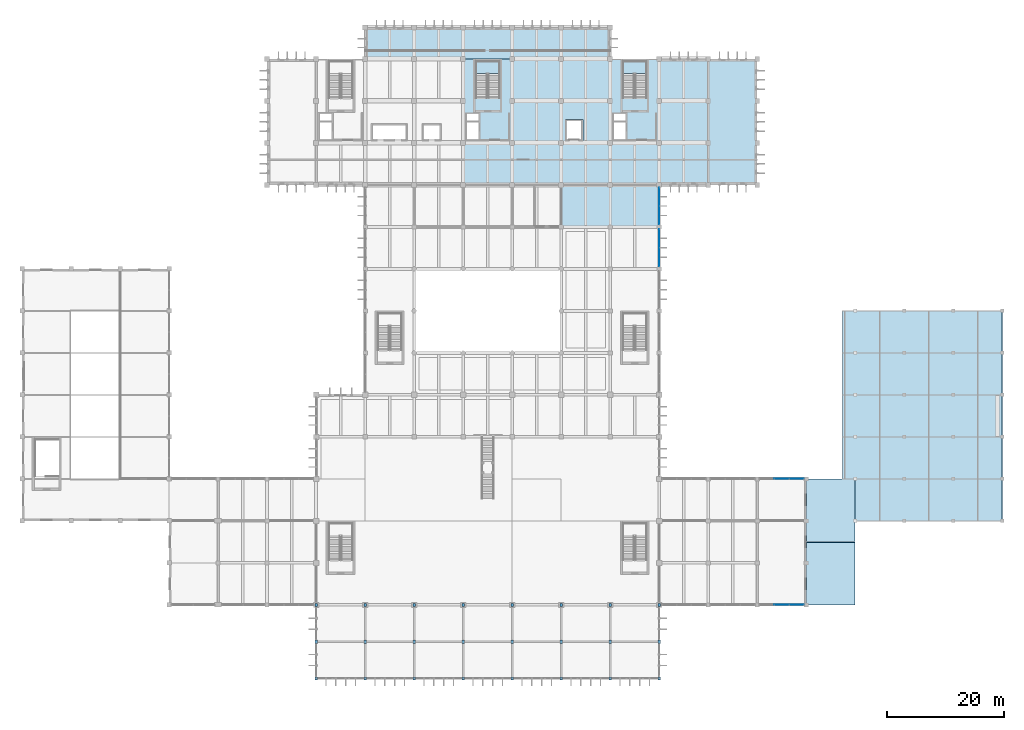
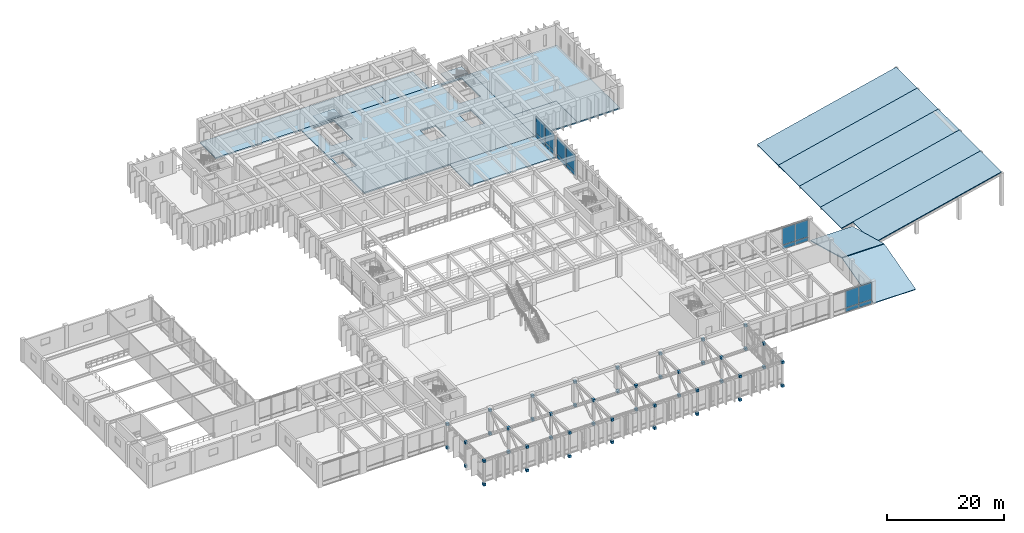
# One storey, part 30 of 51: 64 plates, 15 slabs, 6 elements without a shape of their own.
"""IFC4 building model written with IfcOpenShell, lengths in metres."""

from ifc_helpers import new_model, si_unit, direction, frame, origin, origin_2d, place, context, subcontext, project, spatial, polyline, rectangle, outline, extrude, material, layer, layer_set, type_object, element, aggregate, save


model = new_model("IFC4")

# Units and contexts
model_context = context("Model", 3, precision=1e-05, world=origin(), true_north=direction((0.0, 1.0)))
body_context = subcontext(model_context, "Body", "Model", "MODEL_VIEW")
ifc_project = project(units=[si_unit("LENGTHUNIT", "METRE"), si_unit("AREAUNIT", "SQUARE_METRE"), si_unit("VOLUMEUNIT", "CUBIC_METRE"), si_unit("PLANEANGLEUNIT", "RADIAN"), si_unit("MASSUNIT", "GRAM", prefix="KILO")], contexts=[model_context])

# Site, building, storey
site_placement = place(None, origin())
site = spatial("IfcSite", under=ifc_project, at=site_placement, CompositionType="ELEMENT")
building_placement = place(site_placement, origin())
building = spatial("IfcBuilding", under=site, at=building_placement, Name="Kenerak Square Central Library", CompositionType="ELEMENT")
storey_placement = place(building_placement, frame((0.0, 0.0, 9.60009765625)))
storey = spatial("IfcBuildingStorey", under=building, at=storey_placement, Name="L02", CompositionType="ELEMENT", Elevation=9.60009765625)

# Plates
ifc_material_1 = material(Name="Steel S355", Category="steel")
ifc_layer_1 = layer(ifc_material_1, 0.0400390625)
ifc_layer_set_1 = layer_set([ifc_layer_1], Name="Steel S355")
plate_type_1 = type_object("IfcPlateType", Name="Cantilever Truss Gusset Node KTN-01 40mm S355", PredefinedType="USERDEFINED", material=ifc_layer_set_1)
for number, where, z_axis, x_axis, name in (
    (1, (58.39990234375, 4.199951171875, -0.91015625), (0.0, 0.0, 1.0), (1.0, 0.0, 0.0), "Truss Gusset Plate KTN-01 0001"),
    (2, (58.39990234375, 4.199951171875, 3.989990234375), (0.0, 0.0, 1.0), (1.0, 0.0, 0.0), "Truss Gusset Plate KTN-01 0002"),
    (3, (58.39990234375, 10.5, -0.91015625), (0.0, 0.0, 1.0), (1.0, 0.0, 0.0), "Truss Gusset Plate KTN-01 0003"),
    (4, (58.39990234375, 10.5, 3.989990234375), (0.0, 0.0, 1.0), (1.0, 0.0, 0.0), "Truss Gusset Plate KTN-01 0004"),
    (5, (58.39990234375, 16.800048828125, -0.91015625), (0.0, 0.0, 1.0), (1.0, 0.0, 0.0), "Truss Gusset Plate KTN-01 0005"),
    (6, (58.39990234375, 16.800048828125, 3.989990234375), (0.0, 0.0, 1.0), (1.0, 0.0, 0.0), "Truss Gusset Plate KTN-01 0006"),
    (7, (66.800048828125, 4.199951171875, -0.91015625), (0.0, 0.0, 1.0), (1.0, 0.0, 0.0), "Truss Gusset Plate KTN-01 0015"),
    (8, (66.800048828125, 4.199951171875, 3.989990234375), (0.0, 0.0, 1.0), (1.0, 0.0, 0.0), "Truss Gusset Plate KTN-01 0016"),
    (9, (66.800048828125, 10.5, -0.91015625), (0.0, 0.0, 1.0), (1.0, 0.0, 0.0), "Truss Gusset Plate KTN-01 0017"),
    (10, (66.800048828125, 10.5, 3.989990234375), (0.0, 0.0, 1.0), (1.0, 0.0, 0.0), "Truss Gusset Plate KTN-01 0018"),
    (11, (66.800048828125, 16.800048828125, -0.91015625), (0.0, 0.0, 1.0), (1.0, 0.0, 0.0), "Truss Gusset Plate KTN-01 0019"),
    (12, (66.800048828125, 16.800048828125, 3.989990234375), (0.0, 0.0, 1.0), (1.0, 0.0, 0.0), "Truss Gusset Plate KTN-01 0020"),
    (13, (75.199951171875, 4.199951171875, -0.91015625), (0.0, 0.0, 1.0), (1.0, 0.0, 0.0), "Truss Gusset Plate KTN-01 0029"),
    (14, (75.199951171875, 4.199951171875, 3.989990234375), (0.0, 0.0, 1.0), (1.0, 0.0, 0.0), "Truss Gusset Plate KTN-01 0030"),
    (15, (75.199951171875, 10.5, -0.91015625), (0.0, 0.0, 1.0), (1.0, 0.0, 0.0), "Truss Gusset Plate KTN-01 0031"),
    (16, (75.199951171875, 10.5, 3.989990234375), (0.0, 0.0, 1.0), (1.0, 0.0, 0.0), "Truss Gusset Plate KTN-01 0032"),
    (17, (75.199951171875, 16.800048828125, -0.91015625), (0.0, 0.0, 1.0), (1.0, 0.0, 0.0), "Truss Gusset Plate KTN-01 0033"),
    (18, (75.199951171875, 16.800048828125, 3.989990234375), (0.0, 0.0, 1.0), (1.0, 0.0, 0.0), "Truss Gusset Plate KTN-01 0034"),
    (19, (83.60009765625, 4.199951171875, -0.91015625), (0.0, 0.0, 1.0), (1.0, 0.0, 0.0), "Truss Gusset Plate KTN-01 0043"),
    (20, (83.60009765625, 4.199951171875, 3.760009765625), (0.0, 0.0, 1.0), (1.0, 0.0, 0.0), "Truss Gusset Plate KTN-01 0044"),
    (21, (83.60009765625, 10.5, -0.91015625), (0.0, 0.0, 1.0), (1.0, 0.0, 0.0), "Truss Gusset Plate KTN-01 0045"),
    (22, (83.60009765625, 10.5, 3.989990234375), (0.0, 0.0, 1.0), (1.0, 0.0, 0.0), "Truss Gusset Plate KTN-01 0046"),
    (23, (83.60009765625, 16.800048828125, -0.91015625), (0.0, 0.0, 1.0), (1.0, 0.0, 0.0), "Truss Gusset Plate KTN-01 0047"),
    (24, (83.60009765625, 16.800048828125, 3.989990234375), (0.0, 0.0, 1.0), (1.0, 0.0, 0.0), "Truss Gusset Plate KTN-01 0048"),
    (25, (92.0, 4.199951171875, -0.91015625), (0.0, 0.0, 1.0), (1.0, 0.0, 0.0), "Truss Gusset Plate KTN-01 0057"),
    (26, (92.0, 4.199951171875, 3.760009765625), (0.0, 0.0, 1.0), (1.0, 0.0, 0.0), "Truss Gusset Plate KTN-01 0058"),
    (27, (92.0, 10.5, -0.91015625), (0.0, 0.0, 1.0), (1.0, 0.0, 0.0), "Truss Gusset Plate KTN-01 0059"),
    (28, (92.0, 10.5, 3.989990234375), (0.0, 0.0, 1.0), (1.0, 0.0, 0.0), "Truss Gusset Plate KTN-01 0060"),
    (29, (92.0, 16.800048828125, -0.91015625), (0.0, 0.0, 1.0), (1.0, 0.0, 0.0), "Truss Gusset Plate KTN-01 0061"),
    (30, (92.0, 16.800048828125, 3.989990234375), (0.0, 0.0, 1.0), (1.0, 0.0, 0.0), "Truss Gusset Plate KTN-01 0062"),
    (31, (100.39990234375, 4.199951171875, -0.91015625), (0.0, 0.0, 1.0), (1.0, 0.0, 0.0), "Truss Gusset Plate KTN-01 0071"),
    (32, (100.39990234375, 4.199951171875, 3.989990234375), (0.0, 0.0, 1.0), (1.0, 0.0, 0.0), "Truss Gusset Plate KTN-01 0072"),
    (33, (100.39990234375, 10.5, -0.91015625), (0.0, 0.0, 1.0), (1.0, 0.0, 0.0), "Truss Gusset Plate KTN-01 0073"),
    (34, (100.39990234375, 10.5, 3.989990234375), (0.0, 0.0, 1.0), (1.0, 0.0, 0.0), "Truss Gusset Plate KTN-01 0074"),
    (35, (100.39990234375, 16.800048828125, -0.91015625), (0.0, 0.0, 1.0), (1.0, 0.0, 0.0), "Truss Gusset Plate KTN-01 0075"),
    (36, (100.39990234375, 16.800048828125, 3.989990234375), (0.0, 0.0, 1.0), (1.0, 0.0, 0.0), "Truss Gusset Plate KTN-01 0076"),
    (37, (108.800048828125, 4.199951171875, -0.91015625), (0.0, 0.0, 1.0), (1.0, 0.0, 0.0), "Truss Gusset Plate KTN-01 0085"),
    (38, (108.800048828125, 4.199951171875, 3.989990234375), (0.0, 0.0, 1.0), (1.0, 0.0, 0.0), "Truss Gusset Plate KTN-01 0086"),
    (39, (108.800048828125, 10.5, -0.91015625), (0.0, 0.0, 1.0), (1.0, 0.0, 0.0), "Truss Gusset Plate KTN-01 0087"),
    (40, (108.800048828125, 10.5, 3.989990234375), (0.0, 0.0, 1.0), (1.0, 0.0, 0.0), "Truss Gusset Plate KTN-01 0088"),
    (41, (108.800048828125, 16.800048828125, -0.91015625), (0.0, 0.0, 1.0), (1.0, 0.0, 0.0), "Truss Gusset Plate KTN-01 0089"),
    (42, (108.800048828125, 16.800048828125, 3.989990234375), (0.0, 0.0, 1.0), (1.0, 0.0, 0.0), "Truss Gusset Plate KTN-01 0090"),
    (43, (117.199951171875, 4.199951171875, -0.91015625), (0.0, 0.0, 1.0), (1.0, 0.0, 0.0), "Truss Gusset Plate KTN-01 0099"),
    (44, (117.199951171875, 4.199951171875, 3.989990234375), (0.0, 0.0, 1.0), (1.0, 0.0, 0.0), "Truss Gusset Plate KTN-01 0100"),
    (45, (117.199951171875, 10.5, -0.91015625), (0.0, 0.0, 1.0), (1.0, 0.0, 0.0), "Truss Gusset Plate KTN-01 0101"),
    (46, (117.199951171875, 10.5, 3.989990234375), (0.0, 0.0, 1.0), (1.0, 0.0, 0.0), "Truss Gusset Plate KTN-01 0102"),
    (47, (117.199951171875, 16.800048828125, -0.91015625), (0.0, 0.0, 1.0), (1.0, 0.0, 0.0), "Truss Gusset Plate KTN-01 0103"),
    (48, (117.199951171875, 16.800048828125, 3.989990234375), (0.0, 0.0, 1.0), (1.0, 0.0, 0.0), "Truss Gusset Plate KTN-01 0104"),
):
    element("IfcPlate", number, at=place(storey_placement, frame(where, z_axis=z_axis, x_axis=x_axis)), inside=storey, type_object=plate_type_1, Name=name, ObjectType="GUSSET PLATE", PredefinedType="USERDEFINED", context=body_context, shape_type="SweptSolid", body=[
        extrude(rectangle(XDim=0.4599609375, YDim=0.56005859375, at=origin_2d()), origin(), (0.0, 0.0, 1.0), 0.52001953125),
    ])

# Slab
ifc_material_2 = material(Name="Concrete C40/50", Category="concrete")
ifc_layer_2 = layer(ifc_material_2, 0.22509765625)
ifc_layer_set_2 = layer_set([ifc_layer_2], Name="Concrete C40/50")
slab_type_1 = type_object("IfcSlabType", Name="General Reading Room Slab FS-225 C40/50", PredefinedType="FLOOR", material=ifc_layer_set_2)
slab_1_placement = place(storey_placement, frame((0.0, 0.0, -0.22509765625)))
element("IfcSlab", 49, at=slab_1_placement, inside=storey, type_object=slab_type_1, Name="V4 Floor Slab L02 047", PredefinedType="FLOOR", context=body_context, shape_type="SweptSolid", body=[
    extrude(outline(polyline([(100.39990234375, 81.60009765625), (100.39990234375, 88.800048828125), (117.199951171875, 88.800048828125), (117.199951171875, 81.60009765625), (100.39990234375, 81.60009765625)])), origin(), (0.0, 0.0, 1.0), 0.22509765625),
])

# Curtain wall, plates
ifc_material_3 = material(Name="Anodised aluminium and solar-control low-E glazing", Category="aluminium")
curtain_wall_type_1 = type_object("IfcCurtainWallType", Name="Curtain Wall CW-V4-64x45 6425x4550", PredefinedType="USERDEFINED", material=ifc_material_3)
curtain_wall_1_placement = place(storey_placement, origin())
curtain_wall_1 = element("IfcCurtainWall", 50, at=curtain_wall_1_placement, inside=storey, type_object=curtain_wall_type_1, Name="Curtain Wall CW-V4-64x45 L02 0082", ObjectType="CURTAIN WALL", PredefinedType="USERDEFINED")
ifc_material_4 = material(Name="Solar-control low-E laminated double glazing", Category="glass")
ifc_layer_3 = layer(ifc_material_4, 0.02392578125)
ifc_layer_set_3 = layer_set([ifc_layer_3], Name="Solar-control low-E laminated double glazing")
plate_type_2 = type_object("IfcPlateType", Name="Low-E Double Glazed Curtain Panel CP-24", PredefinedType="CURTAIN_PANEL", material=ifc_layer_set_3)
plate_1_placement = place(storey_placement, frame((117.199951171875, 86.75244140625, 0.06494140625), z_axis=(0.0, 0.0, 1.0), x_axis=(0.0, -1.0, 0.0)))
plate_1 = element("IfcPlate", 51, at=plate_1_placement, type_object=plate_type_2, Name="CW-V4-64x45 Panel 1.1", PredefinedType="CURTAIN_PANEL", context=body_context, shape_type="SweptSolid", body=[
    extrude(rectangle(XDim=3.114990234375, YDim=0.02392578125, at=origin_2d()), origin(), (0.0, 0.0, 1.0), 0.802490234375),
])
plate_2_placement = place(storey_placement, frame((117.199951171875, 86.75244140625, 0.9326171875), z_axis=(0.0, 0.0, 1.0), x_axis=(0.0, -1.0, 0.0)))
plate_2 = element("IfcPlate", 52, at=plate_2_placement, type_object=plate_type_2, Name="CW-V4-64x45 Panel 1.2", PredefinedType="CURTAIN_PANEL", context=body_context, shape_type="SweptSolid", body=[
    extrude(rectangle(XDim=3.114990234375, YDim=0.02392578125, at=origin_2d()), origin(), (0.0, 0.0, 1.0), 3.552490234375),
])
plate_3_placement = place(storey_placement, frame((117.199951171875, 83.572509765625, 0.06494140625), z_axis=(0.0, 0.0, 1.0), x_axis=(0.0, -1.0, 0.0)))
plate_3 = element("IfcPlate", 53, at=plate_3_placement, type_object=plate_type_2, Name="CW-V4-64x45 Panel 2.1", PredefinedType="CURTAIN_PANEL", context=body_context, shape_type="SweptSolid", body=[
    extrude(rectangle(XDim=3.114990234375, YDim=0.02392578125, at=origin_2d()), origin(), (0.0, 0.0, 1.0), 0.802490234375),
])
plate_4_placement = place(storey_placement, frame((117.199951171875, 83.572509765625, 0.9326171875), z_axis=(0.0, 0.0, 1.0), x_axis=(0.0, -1.0, 0.0)))
plate_4 = element("IfcPlate", 54, at=plate_4_placement, type_object=plate_type_2, Name="CW-V4-64x45 Panel 2.2", PredefinedType="CURTAIN_PANEL", context=body_context, shape_type="SweptSolid", body=[
    extrude(rectangle(XDim=3.114990234375, YDim=0.02392578125, at=origin_2d()), origin(), (0.0, 0.0, 1.0), 3.552490234375),
])
aggregate(curtain_wall_1, [plate_1, plate_2, plate_3, plate_4])

curtain_wall_type_2 = type_object("IfcCurtainWallType", Name="Curtain Wall CW-V4-65x45 6500x4550", PredefinedType="USERDEFINED", material=ifc_material_3)
curtain_wall_2_placement = place(storey_placement, origin())
curtain_wall_2 = element("IfcCurtainWall", 55, at=curtain_wall_2_placement, inside=storey, type_object=curtain_wall_type_2, Name="Curtain Wall CW-V4-65x45 L02 0083", ObjectType="CURTAIN WALL", PredefinedType="USERDEFINED")
plate_5_placement = place(storey_placement, frame((117.199951171875, 79.608642578125, 0.06494140625), z_axis=(0.0, 0.0, 1.0), x_axis=(0.0, -1.0, 0.0)))
plate_5 = element("IfcPlate", 56, at=plate_5_placement, type_object=plate_type_2, Name="CW-V4-65x45 Panel 1.1", PredefinedType="CURTAIN_PANEL", context=body_context, shape_type="SweptSolid", body=[
    extrude(rectangle(XDim=3.152587890625, YDim=0.02392578125, at=origin_2d()), origin(), (0.0, 0.0, 1.0), 0.802490234375),
])
plate_6_placement = place(storey_placement, frame((117.199951171875, 79.608642578125, 0.9326171875), z_axis=(0.0, 0.0, 1.0), x_axis=(0.0, -1.0, 0.0)))
plate_6 = element("IfcPlate", 57, at=plate_6_placement, type_object=plate_type_2, Name="CW-V4-65x45 Panel 1.2", PredefinedType="CURTAIN_PANEL", context=body_context, shape_type="SweptSolid", body=[
    extrude(rectangle(XDim=3.152587890625, YDim=0.02392578125, at=origin_2d()), origin(), (0.0, 0.0, 1.0), 3.552490234375),
])
plate_7_placement = place(storey_placement, frame((117.199951171875, 76.391357421875, 0.06494140625), z_axis=(0.0, 0.0, 1.0), x_axis=(0.0, -1.0, 0.0)))
plate_7 = element("IfcPlate", 58, at=plate_7_placement, type_object=plate_type_2, Name="CW-V4-65x45 Panel 2.1", PredefinedType="CURTAIN_PANEL", context=body_context, shape_type="SweptSolid", body=[
    extrude(rectangle(XDim=3.152587890625, YDim=0.02392578125, at=origin_2d()), origin(), (0.0, 0.0, 1.0), 0.802490234375),
])
plate_8_placement = place(storey_placement, frame((117.199951171875, 76.391357421875, 0.9326171875), z_axis=(0.0, 0.0, 1.0), x_axis=(0.0, -1.0, 0.0)))
plate_8 = element("IfcPlate", 59, at=plate_8_placement, type_object=plate_type_2, Name="CW-V4-65x45 Panel 2.2", PredefinedType="CURTAIN_PANEL", context=body_context, shape_type="SweptSolid", body=[
    extrude(rectangle(XDim=3.152587890625, YDim=0.02392578125, at=origin_2d()), origin(), (0.0, 0.0, 1.0), 3.552490234375),
])
aggregate(curtain_wall_2, [plate_5, plate_6, plate_7, plate_8])

curtain_wall_type_3 = type_object("IfcCurtainWallType", Name="Curtain Wall CW-V6-77x45 7700x4550", PredefinedType="USERDEFINED", material=ifc_material_3)
curtain_wall_3_placement = place(storey_placement, origin())
curtain_wall_3 = element("IfcCurtainWall", 60, at=curtain_wall_3_placement, inside=storey, type_object=curtain_wall_type_3, Name="Curtain Wall CW-V6-77x45 L02 0091", ObjectType="CURTAIN WALL", PredefinedType="USERDEFINED")
plate_9_placement = place(storey_placement, frame((138.199951171875, 38.39990234375, 0.06494140625), z_axis=(0.0, 0.0, 1.0), x_axis=(1.0, 0.0, 0.0)))
plate_9 = element("IfcPlate", 61, at=plate_9_placement, type_object=plate_type_2, Name="CW-V6-77x45 Panel 2.1", PredefinedType="CURTAIN_PANEL", context=body_context, shape_type="SweptSolid", body=[
    extrude(rectangle(XDim=2.501708984375, YDim=0.02392578125, at=origin_2d()), origin(), (0.0, 0.0, 1.0), 0.802490234375),
])
plate_10_placement = place(storey_placement, frame((138.199951171875, 38.39990234375, 0.9326171875), z_axis=(0.0, 0.0, 1.0), x_axis=(1.0, 0.0, 0.0)))
plate_10 = element("IfcPlate", 62, at=plate_10_placement, type_object=plate_type_2, Name="CW-V6-77x45 Panel 2.2", PredefinedType="CURTAIN_PANEL", context=body_context, shape_type="SweptSolid", body=[
    extrude(rectangle(XDim=2.501708984375, YDim=0.02392578125, at=origin_2d()), origin(), (0.0, 0.0, 1.0), 3.552490234375),
])
plate_11_placement = place(storey_placement, frame((140.75048828125, 38.39990234375, 0.06494140625), z_axis=(0.0, 0.0, 1.0), x_axis=(1.0, 0.0, 0.0)))
plate_11 = element("IfcPlate", 63, at=plate_11_placement, type_object=plate_type_2, Name="CW-V6-77x45 Panel 3.1", PredefinedType="CURTAIN_PANEL", context=body_context, shape_type="SweptSolid", body=[
    extrude(rectangle(XDim=2.46923828125, YDim=0.02392578125, at=origin_2d()), origin(), (0.0, 0.0, 1.0), 0.802490234375),
])
plate_12_placement = place(storey_placement, frame((140.75048828125, 38.39990234375, 0.9326171875), z_axis=(0.0, 0.0, 1.0), x_axis=(1.0, 0.0, 0.0)))
plate_12 = element("IfcPlate", 64, at=plate_12_placement, type_object=plate_type_2, Name="CW-V6-77x45 Panel 3.2", PredefinedType="CURTAIN_PANEL", context=body_context, shape_type="SweptSolid", body=[
    extrude(rectangle(XDim=2.46923828125, YDim=0.02392578125, at=origin_2d()), origin(), (0.0, 0.0, 1.0), 3.552490234375),
])
aggregate(curtain_wall_3, [plate_9, plate_10, plate_11, plate_12])

curtain_wall_4_placement = place(storey_placement, origin())
curtain_wall_4 = element("IfcCurtainWall", 65, at=curtain_wall_4_placement, inside=storey, type_object=curtain_wall_type_3, Name="Curtain Wall CW-V6-77x45 L02 0092", ObjectType="CURTAIN WALL", PredefinedType="USERDEFINED")
plate_13_placement = place(storey_placement, frame((140.75048828125, 16.800048828125, 0.06494140625), z_axis=(0.0, 0.0, 1.0), x_axis=(-1.0, 0.0, 0.0)))
plate_13 = element("IfcPlate", 66, at=plate_13_placement, type_object=plate_type_2, Name="CW-V6-77x45 Panel 1.1", PredefinedType="CURTAIN_PANEL", context=body_context, shape_type="SweptSolid", body=[
    extrude(rectangle(XDim=2.46923828125, YDim=0.02392578125, at=origin_2d()), origin(), (0.0, 0.0, 1.0), 0.802490234375),
])
plate_14_placement = place(storey_placement, frame((140.75048828125, 16.800048828125, 0.9326171875), z_axis=(0.0, 0.0, 1.0), x_axis=(-1.0, 0.0, 0.0)))
plate_14 = element("IfcPlate", 67, at=plate_14_placement, type_object=plate_type_2, Name="CW-V6-77x45 Panel 1.2", PredefinedType="CURTAIN_PANEL", context=body_context, shape_type="SweptSolid", body=[
    extrude(rectangle(XDim=2.46923828125, YDim=0.02392578125, at=origin_2d()), origin(), (0.0, 0.0, 1.0), 3.552490234375),
])
plate_15_placement = place(storey_placement, frame((138.199951171875, 16.800048828125, 0.06494140625), z_axis=(0.0, 0.0, 1.0), x_axis=(-1.0, 0.0, 0.0)))
plate_15 = element("IfcPlate", 68, at=plate_15_placement, type_object=plate_type_2, Name="CW-V6-77x45 Panel 2.1", PredefinedType="CURTAIN_PANEL", context=body_context, shape_type="SweptSolid", body=[
    extrude(rectangle(XDim=2.501708984375, YDim=0.02392578125, at=origin_2d()), origin(), (0.0, 0.0, 1.0), 0.802490234375),
])
plate_16_placement = place(storey_placement, frame((138.199951171875, 16.800048828125, 0.9326171875), z_axis=(0.0, 0.0, 1.0), x_axis=(-1.0, 0.0, 0.0)))
plate_16 = element("IfcPlate", 69, at=plate_16_placement, type_object=plate_type_2, Name="CW-V6-77x45 Panel 2.2", PredefinedType="CURTAIN_PANEL", context=body_context, shape_type="SweptSolid", body=[
    extrude(rectangle(XDim=2.501708984375, YDim=0.02392578125, at=origin_2d()), origin(), (0.0, 0.0, 1.0), 3.552490234375),
])
aggregate(curtain_wall_4, [plate_13, plate_14, plate_15, plate_16])

# Slabs
ifc_layer_4 = layer(ifc_material_2, 0.27490234375)
ifc_layer_set_4 = layer_set([ifc_layer_4], Name="Concrete C40/50")
slab_type_2 = type_object("IfcSlabType", Name="Open Book-Stack Slab FS-275 C40/50", PredefinedType="FLOOR", material=ifc_layer_set_4)
slab_2_placement = place(storey_placement, frame((0.0, 0.0, -0.275146484375)))
element("IfcSlab", 70, at=slab_2_placement, inside=storey, type_object=slab_type_2, Name="V5 Floor Slab L02 082", PredefinedType="FLOOR", context=body_context, shape_type="SweptSolid", body=[
    extrude(outline(polyline([(83.60009765625, 88.800048828125), (83.60009765625, 110.39990234375), (117.199951171875, 110.39990234375), (117.199951171875, 88.800048828125), (83.60009765625, 88.800048828125)]), holes=[polyline([(89.8798828125, 103.64990234375), (89.8798828125, 110.0), (85.719970703125, 110.0), (85.719970703125, 103.64990234375), (89.8798828125, 103.64990234375)]), polyline([(115.080078125, 103.64990234375), (115.080078125, 110.0), (110.919921875, 110.0), (110.919921875, 103.64990234375), (115.080078125, 103.64990234375)]), polyline([(84.0, 96.39990234375), (86.5, 96.39990234375), (86.5, 101.0), (84.0, 101.0), (84.0, 96.39990234375)]), polyline([(109.199951171875, 96.39990234375), (111.699951171875, 96.39990234375), (111.699951171875, 101.0), (109.199951171875, 101.0), (109.199951171875, 96.39990234375)]), polyline([(101.10009765625, 96.39990234375), (104.10009765625, 96.39990234375), (104.10009765625, 100.0), (101.10009765625, 100.0), (101.10009765625, 96.39990234375)])]), origin(), (0.0, 0.0, 1.0), 0.275146484375),
])
slab_3_placement = place(storey_placement, frame((0.0, 0.0, -0.275146484375)))
element("IfcSlab", 71, at=slab_3_placement, inside=storey, type_object=slab_type_2, Name="V5 Floor Slab L02 083", PredefinedType="FLOOR", context=body_context, shape_type="SweptSolid", body=[
    extrude(outline(polyline([(117.199951171875, 110.39990234375), (134.0, 110.39990234375), (134.0, 88.800048828125), (125.60009765625, 88.800048828125), (125.60009765625, 96.0), (117.199951171875, 96.0), (117.199951171875, 110.39990234375)])), origin(), (0.0, 0.0, 1.0), 0.275146484375),
])
slab_4_placement = place(storey_placement, frame((0.0, 0.0, -0.275146484375)))
element("IfcSlab", 72, at=slab_4_placement, inside=storey, type_object=slab_type_2, Name="V5 Floor Slab L02 084", PredefinedType="FLOOR", context=body_context, shape_type="SweptSolid", body=[
    extrude(outline(polyline([(125.60009765625, 88.800048828125), (125.60009765625, 96.0), (117.199951171875, 96.0), (117.199951171875, 88.800048828125), (125.60009765625, 88.800048828125)])), origin(), (0.0, 0.0, 1.0), 0.275146484375),
])
slab_5_placement = place(storey_placement, frame((0.0, 0.0, -0.275146484375)))
element("IfcSlab", 73, at=slab_5_placement, inside=storey, type_object=slab_type_2, Name="V5 Floor Slab L02 085", PredefinedType="FLOOR", context=body_context, shape_type="SweptSolid", body=[
    extrude(outline(polyline([(66.800048828125, 110.39990234375), (66.800048828125, 115.800048828125), (100.39990234375, 115.800048828125), (100.39990234375, 110.39990234375), (66.800048828125, 110.39990234375)])), origin(), (0.0, 0.0, 1.0), 0.275146484375),
])
slab_6_placement = place(storey_placement, frame((0.0, 0.0, -0.275146484375)))
element("IfcSlab", 74, at=slab_6_placement, inside=storey, type_object=slab_type_2, Name="V5 Floor Slab L02 086", PredefinedType="FLOOR", context=body_context, shape_type="SweptSolid", body=[
    extrude(outline(polyline([(100.39990234375, 110.39990234375), (100.39990234375, 115.800048828125), (108.800048828125, 115.800048828125), (108.800048828125, 110.39990234375), (100.39990234375, 110.39990234375)])), origin(), (0.0, 0.0, 1.0), 0.275146484375),
])
ifc_material_5 = material(Name="Precast concrete C40/50", Category="concrete")
ifc_layer_5 = layer(ifc_material_5, 0.179931640625)
ifc_layer_set_5 = layer_set([ifc_layer_5], Name="Precast concrete C40/50")
slab_type_3 = type_object("IfcSlabType", Name="Pitched Standing-Seam Acoustic Roof Deck RS-180 C40/50", PredefinedType="ROOF", material=ifc_layer_set_5)
slab_7_placement = place(storey_placement, frame((150.800048828125, 31.199951171875, 0.89990234375), z_axis=(-0.231620952023, 0.0, 0.972806113562), x_axis=(0.972806113562, 0.0, 0.231620952023)))
element("IfcSlab", 75, at=slab_7_placement, inside=storey, type_object=slab_type_3, Name="Children Pavilion Sloped Roof Bay 1", PredefinedType="ROOF", context=body_context, shape_type="SweptSolid", body=[
    extrude(outline(polyline([(0.0, 0.0), (25.9043922736065, 0.0), (25.9043922736065, 7.199951171875), (0.0, 7.199951171875), (0.0, 0.0)])), origin(), (0.0, 0.0, -1.0), 0.179931640625),
])
slab_8_placement = place(storey_placement, frame((148.60009765625, 38.39990234375, 0.3759765625), z_axis=(-0.231625214698, 0.0, 0.972805098628), x_axis=(0.972805098628, 0.0, 0.231625214698)))
element("IfcSlab", 76, at=slab_8_placement, inside=storey, type_object=slab_type_3, Name="Children Pavilion Sloped Roof Bay 2", PredefinedType="ROOF", context=body_context, shape_type="SweptSolid", body=[
    extrude(outline(polyline([(0.0, 0.0), (28.165870411657707, 0.0), (28.165870411657707, 7.2001953125), (0.0, 7.2001953125), (0.0, 0.0)])), origin(), (0.0, 0.0, -1.0), 0.179931640625),
])
for number, where, z_axis, x_axis, name in (
    (77, (148.60009765625, 45.60009765625, 0.3759765625), (-0.231625214698, 0.0, 0.972805098628), (0.972805098628, 0.0, 0.231625214698), "Children Pavilion Sloped Roof Bay 3"),
    (78, (148.60009765625, 52.800048828125, 0.3759765625), (-0.231625214698, 0.0, 0.972805098628), (0.972805098628, 0.0, 0.231625214698), "Children Pavilion Sloped Roof Bay 4"),
    (79, (148.60009765625, 60.0, 0.3759765625), (-0.231625214698, 0.0, 0.972805098628), (0.972805098628, 0.0, 0.231625214698), "Children Pavilion Sloped Roof Bay 5"),
):
    element("IfcSlab", number, at=place(storey_placement, frame(where, z_axis=z_axis, x_axis=x_axis)), inside=storey, type_object=slab_type_3, Name=name, PredefinedType="ROOF", context=body_context, shape_type="SweptSolid", body=[
        extrude(outline(polyline([(0.0, 0.0), (28.165870411657707, 0.0), (28.165870411657707, 7.199951171875), (0.0, 7.199951171875), (0.0, 0.0)])), origin(), (0.0, 0.0, -1.0), 0.179931640625),
    ])
for number, where, z_axis, x_axis, name in (
    (80, (142.43994140625, 16.800048828125, 0.0), (0.0, -0.261128291696, 0.965304105076), (1.0, 0.0, 0.0), "Tropical Overhang Roof V6E-STEP2 South"),
    (81, (142.43994140625, 27.679931640625, 2.89990234375), (0.0, 0.261128291696, 0.965304105076), (1.0, 0.0, 0.0), "Tropical Overhang Roof V6E-STEP2 North"),
):
    element("IfcSlab", number, at=place(storey_placement, frame(where, z_axis=z_axis, x_axis=x_axis)), inside=storey, type_object=slab_type_3, Name=name, PredefinedType="ROOF", context=body_context, shape_type="SweptSolid", body=[
        extrude(outline(polyline([(0.0, 0.0), (8.320068359375, 0.0), (8.320068359375, 11.10527827112608), (0.0, 11.10527827112608), (0.0, 0.0)])), origin(), (0.0, 0.0, -1.0), 0.179931640625),
    ])

# Stair, slab
stair_type = type_object("IfcStairType", Name="Exit Dogleg Stair ST-480 C40/50", PredefinedType="HALF_TURN_STAIR", material=ifc_material_2)
stair_1_placement = place(storey_placement, origin())
stair_1 = element("IfcStair", 82, at=stair_1_placement, inside=storey, type_object=stair_type, Name="L02 Protected Exit Stair ST-02", PredefinedType="HALF_TURN_STAIR")
ifc_layer_6 = layer(ifc_material_2, 0.199951171875)
ifc_layer_set_6 = layer_set([ifc_layer_6], Name="Concrete C40/50")
slab_type_4 = type_object("IfcSlabType", Name="Stair Half-Landing Slab LD-200 C40/50", PredefinedType="LANDING", material=ifc_layer_set_6)
slab_9_placement = place(storey_placement, frame((0.0, 0.0, 2.199951171875)))
slab_9 = element("IfcSlab", 83, at=slab_9_placement, type_object=slab_type_4, Name="ST-02 Landing 1", PredefinedType="LANDING", context=body_context, shape_type="SweptSolid", body=[
    extrude(outline(polyline([(89.8798828125, 107.85009765625), (89.8798828125, 110.0), (85.719970703125, 110.0), (85.719970703125, 107.85009765625), (89.8798828125, 107.85009765625)])), origin(), (0.0, 0.0, 1.0), 0.199951171875),
])
aggregate(stair_1, [slab_9])

stair_2_placement = place(storey_placement, origin())
stair_2 = element("IfcStair", 84, at=stair_2_placement, inside=storey, type_object=stair_type, Name="L02 Protected Exit Stair ST-03", PredefinedType="HALF_TURN_STAIR")
slab_10_placement = place(storey_placement, frame((0.0, 0.0, 2.199951171875)))
slab_10 = element("IfcSlab", 85, at=slab_10_placement, type_object=slab_type_4, Name="ST-03 Landing 1", PredefinedType="LANDING", context=body_context, shape_type="SweptSolid", body=[
    extrude(outline(polyline([(115.080078125, 107.85009765625), (115.080078125, 110.0), (110.919921875, 110.0), (110.919921875, 107.85009765625), (115.080078125, 107.85009765625)])), origin(), (0.0, 0.0, 1.0), 0.199951171875),
])
aggregate(stair_2, [slab_10])

save(model, "model.ifc")
